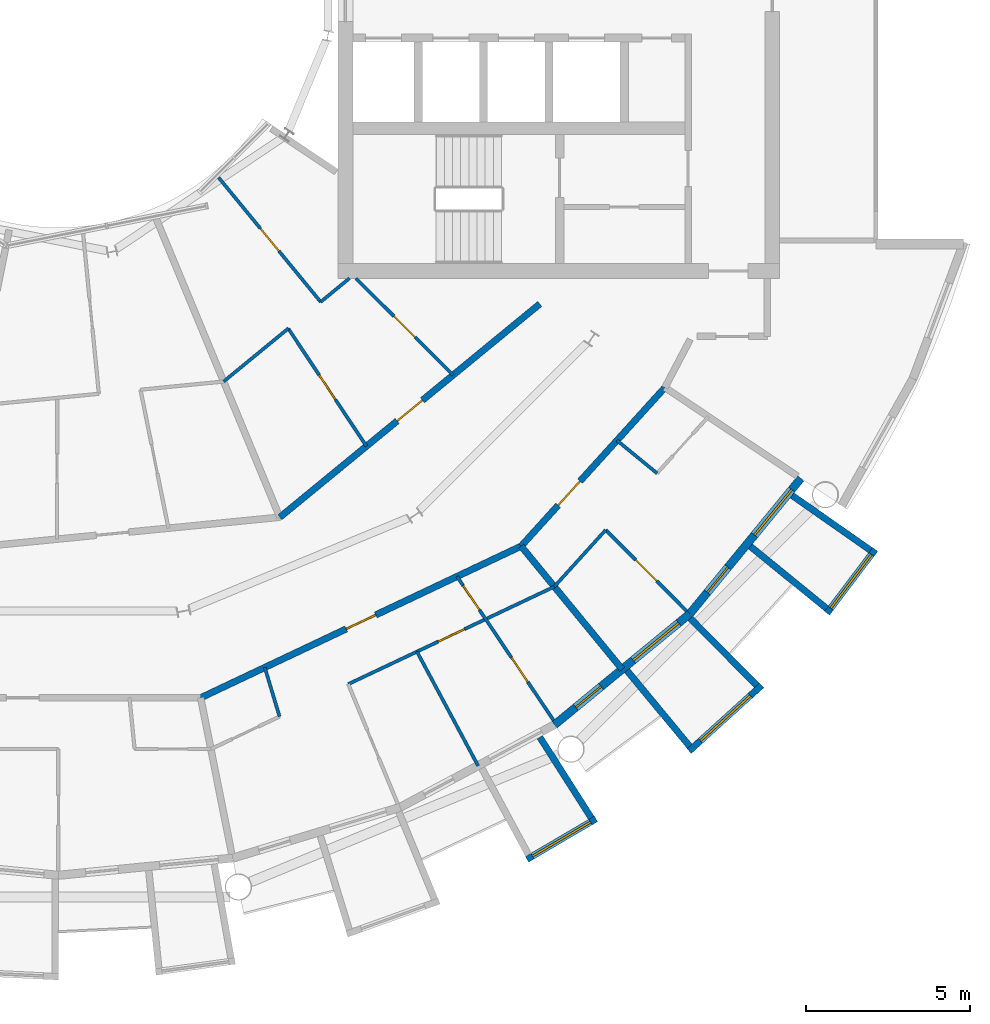
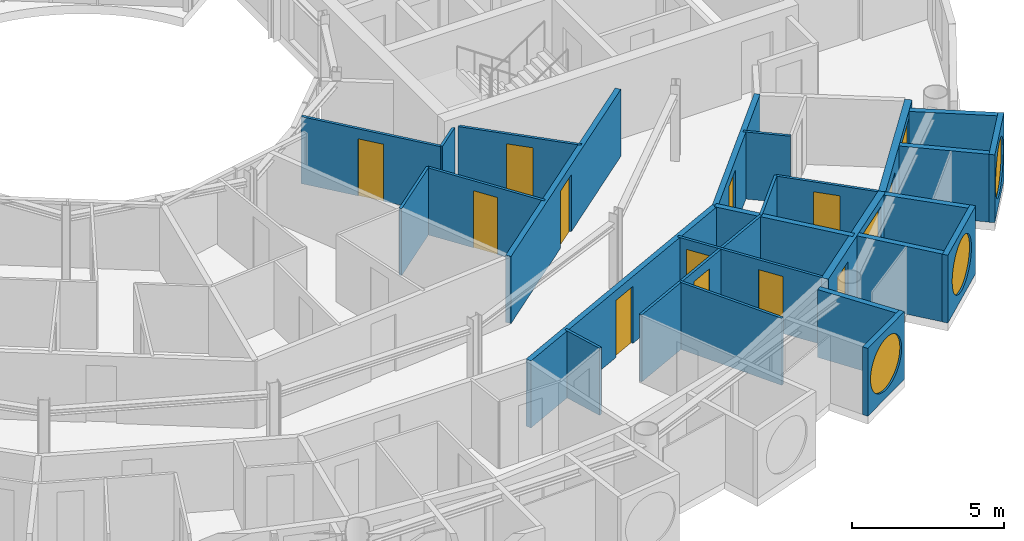
# One storey, part 18 of 29: 26 walls, 12 doors, 5 windows, 17 openings.
"""IFC4 building model written with IfcOpenShell, lengths in metres."""

from ifc_helpers import new_model, si_unit, direction, frame, frame_2d, origin, place, context, subcontext, project, spatial, rectangle, circle, extrude, material, layer, layer_set, type_object, element, fill, save


model = new_model("IFC4")

# Units and contexts
model_context = context("Model", 3, precision=1e-05, world=origin(), true_north=direction((0.0, 1.0)))
body_context = subcontext(model_context, "Body", "Model", "MODEL_VIEW")
ifc_project = project(units=[si_unit("LENGTHUNIT", "METRE"), si_unit("AREAUNIT", "SQUARE_METRE"), si_unit("VOLUMEUNIT", "CUBIC_METRE"), si_unit("PLANEANGLEUNIT", "RADIAN"), si_unit("MASSUNIT", "GRAM", prefix="KILO")], contexts=[model_context])

# Site, building, storey
site_placement = place(None, origin())
site = spatial("IfcSite", under=ifc_project, at=site_placement, CompositionType="ELEMENT")
building_placement = place(site_placement, origin())
building = spatial("IfcBuilding", under=site, at=building_placement, Name="Maasbend Ring Residences", CompositionType="ELEMENT")
storey_placement = place(building_placement, frame((0.0, 0.0, 212.699951171875)))
storey = spatial("IfcBuildingStorey", under=building, at=storey_placement, Name="L61", CompositionType="ELEMENT", Elevation=212.699951171875)

# Wall, opening, door
ifc_material_1 = material(Name="Concrete C30/37", Category="concrete")
ifc_layer_1 = layer(ifc_material_1, 0.199951171875)
ifc_layer_set_1 = layer_set([ifc_layer_1], Name="Concrete C30/37")
wall_type_1 = type_object("IfcWallType", Name="CORRIDOR WALL 200 CONCRETE", PredefinedType="PARTITIONING", material=ifc_layer_set_1)
wall_1_placement = place(storey_placement, frame((14.14697265625, -17.238037109375, 0.0), z_axis=(0.0, 0.0, 1.0), x_axis=(0.671561669125, 0.740948665268, 0.0)))
wall_1 = element("IfcWall", 1, at=wall_1_placement, inside=storey, type_object=wall_type_1, Name="U-L61-w013", PredefinedType="PARTITIONING", context=body_context, shape_type="SweptSolid", body=[
    extrude(rectangle(XDim=6.54443359375, YDim=0.199951171875, at=frame_2d((3.272216796875, 0.0))), origin(), (0.0, 0.0, 1.0), 2.699951171875),
])
opening_1_placement = place(wall_1_placement, frame((1.681884765625, 0.0, 0.0)))
opening_1 = element("IfcOpeningElement", 2, at=opening_1_placement, cuts=wall_1, Name="Opening D-6153", PredefinedType="OPENING", context=body_context, shape_type="SweptSolid", body=[
    extrude(rectangle(XDim=1.0, YDim=2.300048828125, at=frame_2d((0.5, 1.14990234375))), frame((0.0, 0.10986328125, 0.0), z_axis=(0.0, -1.0, 0.0), x_axis=(1.0, 0.0, 0.0)), (0.0, 0.0, 1.0), 0.219970703125),
])
ifc_material_2 = material(Name="Timber, fire-rated, painted", Category="wood")
door_type_1 = type_object("IfcDoorType", Name="FLAT ENTRANCE DOOR 1000 X 2300 FIRE-RATED", OperationType="NOTDEFINED", PredefinedType="DOOR", material=ifc_material_2)
door_1_placement = place(opening_1_placement, origin())
door_1 = element("IfcDoor", 3, at=door_1_placement, inside=storey, type_object=door_type_1, Name="D-6153", OperationType="SINGLE_SWING_LEFT", OverallHeight=2.300048828125, OverallWidth=1.0, PredefinedType="DOOR", context=body_context, shape_type="SweptSolid", body=[
    extrude(rectangle(XDim=1.0, YDim=2.300048828125, at=frame_2d((0.5, 1.14990234375))), frame((0.0, 0.02490234375, 0.0), z_axis=(0.0, -1.0, 0.0), x_axis=(1.0, 0.0, 0.0)), (0.0, 0.0, 1.0), 0.050048828125),
])
fill(opening_1, door_1)

wall_2_placement = place(storey_placement, frame((4.35205078125, -21.873046875, 0.0), z_axis=(0.0, 0.0, 1.0), x_axis=(0.903903349022, 0.427736759733, 0.0)))
wall_2 = element("IfcWall", 4, at=wall_2_placement, inside=storey, type_object=wall_type_1, Name="U-L61-w019", PredefinedType="PARTITIONING", context=body_context, shape_type="SweptSolid", body=[
    extrude(rectangle(XDim=10.83837890625, YDim=0.199951171875, at=frame_2d((5.419189453125, 0.0))), origin(), (0.0, 0.0, 1.0), 2.699951171875),
])
opening_2_placement = place(wall_2_placement, frame((4.919921875, 0.0, 0.0)))
opening_2 = element("IfcOpeningElement", 5, at=opening_2_placement, cuts=wall_2, Name="Opening D-6147", PredefinedType="OPENING", context=body_context, shape_type="SweptSolid", body=[
    extrude(rectangle(XDim=1.0, YDim=2.300048828125, at=frame_2d((0.5, 1.14990234375))), frame((0.0, 0.10986328125, 0.0), z_axis=(0.0, -1.0, 0.0), x_axis=(1.0, 0.0, 0.0)), (0.0, 0.0, 1.0), 0.219970703125),
])
door_2_placement = place(opening_2_placement, origin())
door_2 = element("IfcDoor", 6, at=door_2_placement, inside=storey, type_object=door_type_1, Name="D-6147", OperationType="SINGLE_SWING_RIGHT", OverallHeight=2.300048828125, OverallWidth=1.0, PredefinedType="DOOR", context=body_context, shape_type="SweptSolid", body=[
    extrude(rectangle(XDim=1.0, YDim=2.300048828125, at=frame_2d((0.5, 1.14990234375))), frame((0.0, 0.02490234375, 0.0), z_axis=(0.0, -1.0, 0.0), x_axis=(1.0, 0.0, 0.0)), (0.0, 0.0, 1.0), 0.050048828125),
])
fill(opening_2, door_2)

wall_3_placement = place(storey_placement, frame((6.77294921875, -16.35302734375, 0.0), z_axis=(0.0, 0.0, 1.0), x_axis=(0.773034536097, 0.634363938131, 0.0)))
wall_3 = element("IfcWall", 7, at=wall_3_placement, inside=storey, type_object=wall_type_1, Name="U-L61-w021", PredefinedType="PARTITIONING", context=body_context, shape_type="SweptSolid", body=[
    extrude(rectangle(XDim=10.276611328125, YDim=0.199951171875, at=frame_2d((5.13818359375, 0.0))), origin(), (0.0, 0.0, 1.0), 2.699951171875),
])
opening_3_placement = place(wall_3_placement, frame((4.637939453125, 0.0, 0.0)))
opening_3 = element("IfcOpeningElement", 8, at=opening_3_placement, cuts=wall_3, Name="Opening D-6164", PredefinedType="OPENING", context=body_context, shape_type="SweptSolid", body=[
    extrude(rectangle(XDim=1.0, YDim=2.300048828125, at=frame_2d((0.5, 1.14990234375))), frame((0.0, 0.10986328125, 0.0), z_axis=(0.0, -1.0, 0.0), x_axis=(1.0, 0.0, 0.0)), (0.0, 0.0, 1.0), 0.219970703125),
])
door_3_placement = place(opening_3_placement, origin())
door_3 = element("IfcDoor", 9, at=door_3_placement, inside=storey, type_object=door_type_1, Name="D-6164", OperationType="SINGLE_SWING_RIGHT", OverallHeight=2.300048828125, OverallWidth=1.0, PredefinedType="DOOR", context=body_context, shape_type="SweptSolid", body=[
    extrude(rectangle(XDim=1.0, YDim=2.300048828125, at=frame_2d((0.5, 1.14990234375))), frame((0.0, 0.02490234375, 0.0), z_axis=(0.0, -1.0, 0.0), x_axis=(1.0, 0.0, 0.0)), (0.0, 0.0, 1.0), 0.050048828125),
])
fill(opening_3, door_3)

# Wall, opening, window
ifc_material_3 = material(Name="Pale anodised aluminium panel", Category="aluminium")
ifc_layer_2 = layer(ifc_material_3, 0.199951171875)
ifc_layer_set_2 = layer_set([ifc_layer_2], Name="EW-BOX")
wall_type_2 = type_object("IfcWallType", Name="EW-BOX", PredefinedType="SOLIDWALL", material=ifc_layer_set_2)
wall_4_placement = place(storey_placement, frame((14.326904296875, -26.81201171875, -0.030029296875), z_axis=(0.0, 0.0, 1.0), x_axis=(0.862403467503, 0.506221551535, 0.0)))
wall_4 = element("IfcWall", 10, at=wall_4_placement, inside=storey, type_object=wall_type_2, Name="Box front S16", PredefinedType="SOLIDWALL", context=body_context, shape_type="SweptSolid", body=[
    extrude(rectangle(XDim=2.445556640625, YDim=0.199951171875, at=frame_2d((1.22265625, 0.0))), origin(), (0.0, 0.0, 1.0), 2.72998046875),
])
opening_4_placement = place(wall_4_placement, frame((0.182861328125, 0.0, 0.330078125)))
opening_4 = element("IfcOpeningElement", 11, at=opening_4_placement, cuts=wall_4, Name="Opening W-RD", PredefinedType="OPENING", context=body_context, shape_type="SweptSolid", body=[
    extrude(circle(Radius=1.0400390625, at=frame_2d((1.0400390625, 1.0400390625))), frame((0.0, 0.10986328125, 0.0), z_axis=(0.0, -1.0, 0.0), x_axis=(1.0, 0.0, 0.0)), (0.0, 0.0, 1.0), 0.219970703125),
])
ifc_material_4 = material(Name="Aluminium and clear glass", Category="aluminium")
window_type_1 = type_object("IfcWindowType", Name="W-RD", PartitioningType="SINGLE_PANEL", PredefinedType="WINDOW", material=ifc_material_4)
window_1_placement = place(opening_4_placement, origin())
window_1 = element("IfcWindow", 12, at=window_1_placement, inside=storey, type_object=window_type_1, Name="Round window S16", OverallHeight=2.080078125, OverallWidth=2.080078125, PartitioningType="SINGLE_PANEL", PredefinedType="WINDOW", context=body_context, shape_type="SweptSolid", body=[
    extrude(circle(Radius=1.0400390625, at=frame_2d((1.0400390625, 1.0400390625))), frame((0.0, 0.030029296875, 0.0), z_axis=(0.0, -1.0, 0.0), x_axis=(1.0, 0.0, 0.0)), (0.0, 0.0, 1.0), 0.06005859375),
])
fill(opening_4, window_1)

# Wall
wall_5_placement = place(storey_placement, frame((14.721923828125, -23.0791015625, -0.030029296875), z_axis=(0.0, 0.0, 1.0), x_axis=(0.537572179146, -0.843217737129, 0.0)))
element("IfcWall", 13, at=wall_5_placement, inside=storey, type_object=wall_type_2, Name="Box side wall S16 right", PredefinedType="SOLIDWALL", context=body_context, shape_type="SweptSolid", body=[
    extrude(rectangle(XDim=2.92431640625, YDim=0.199951171875, at=frame_2d((1.462158203125, 0.0))), origin(), (0.0, 0.0, 1.0), 2.72998046875),
])

# Wall, opening, window
wall_6_placement = place(storey_placement, frame((19.281982421875, -23.5029296875, -0.030029296875), z_axis=(0.0, 0.0, 1.0), x_axis=(0.740998365753, 0.671506829416, 0.0)))
wall_6 = element("IfcWall", 14, at=wall_6_placement, inside=storey, type_object=wall_type_2, Name="Box front S18", PredefinedType="SOLIDWALL", context=body_context, shape_type="SweptSolid", body=[
    extrude(rectangle(XDim=2.9931640625, YDim=0.199951171875, at=frame_2d((1.49658203125, 0.0))), origin(), (0.0, 0.0, 1.0), 2.72998046875),
])
opening_5_placement = place(wall_6_placement, frame((0.45654296875, 0.0, 0.330078125)))
opening_5 = element("IfcOpeningElement", 15, at=opening_5_placement, cuts=wall_6, Name="Opening W-RD", PredefinedType="OPENING", context=body_context, shape_type="SweptSolid", body=[
    extrude(circle(Radius=1.0400390625, at=frame_2d((1.0400390625, 1.0400390625))), frame((0.0, 0.10986328125, 0.0), z_axis=(0.0, -1.0, 0.0), x_axis=(1.0, 0.0, 0.0)), (0.0, 0.0, 1.0), 0.219970703125),
])
window_2_placement = place(opening_5_placement, origin())
window_2 = element("IfcWindow", 16, at=window_2_placement, inside=storey, type_object=window_type_1, Name="Round window S18", OverallHeight=2.080078125, OverallWidth=2.080078125, PartitioningType="SINGLE_PANEL", PredefinedType="WINDOW", context=body_context, shape_type="SweptSolid", body=[
    extrude(circle(Radius=1.0400390625, at=frame_2d((1.0400390625, 1.0400390625))), frame((0.0, 0.030029296875, 0.0), z_axis=(0.0, -1.0, 0.0), x_axis=(1.0, 0.0, 0.0)), (0.0, 0.0, 1.0), 0.06005859375),
])
fill(opening_5, window_2)

# Walls
wall_7_placement = place(storey_placement, frame((17.384033203125, -21.041015625, -0.030029296875), z_axis=(0.0, 0.0, 1.0), x_axis=(0.63709551667, -0.770784861449, 0.0)))
element("IfcWall", 17, at=wall_7_placement, inside=storey, type_object=wall_type_2, Name="Box side wall S18 left", PredefinedType="SOLIDWALL", context=body_context, shape_type="SweptSolid", body=[
    extrude(rectangle(XDim=3.005859375, YDim=0.199951171875, at=frame_2d((1.5029296875, 0.0))), origin(), (0.0, 0.0, 1.0), 2.72998046875),
])
wall_8_placement = place(storey_placement, frame((19.322998046875, -19.449951171875, -0.030029296875), z_axis=(0.0, 0.0, 1.0), x_axis=(0.704476739375, -0.709727076896, 0.0)))
element("IfcWall", 18, at=wall_8_placement, inside=storey, type_object=wall_type_2, Name="Box side wall S18 right", PredefinedType="SOLIDWALL", context=body_context, shape_type="SweptSolid", body=[
    extrude(rectangle(XDim=2.883056640625, YDim=0.199951171875, at=frame_2d((1.44140625, 0.0))), origin(), (0.0, 0.0, 1.0), 2.72998046875),
])

# Wall, opening, window
wall_9_placement = place(storey_placement, frame((23.4970703125, -19.2890625, -0.030029296875), z_axis=(0.0, 0.0, 1.0), x_axis=(0.602806268067, 0.797887588059, 0.0)))
wall_9 = element("IfcWall", 19, at=wall_9_placement, inside=storey, type_object=wall_type_2, Name="Box front S20", PredefinedType="SOLIDWALL", context=body_context, shape_type="SweptSolid", body=[
    extrude(rectangle(XDim=2.446533203125, YDim=0.199951171875, at=frame_2d((1.22314453125, 0.0))), origin(), (0.0, 0.0, 1.0), 2.72998046875),
])
opening_6_placement = place(wall_9_placement, frame((0.182861328125, 0.0, 0.330078125)))
opening_6 = element("IfcOpeningElement", 20, at=opening_6_placement, cuts=wall_9, Name="Opening W-RD", PredefinedType="OPENING", context=body_context, shape_type="SweptSolid", body=[
    extrude(circle(Radius=1.0400390625, at=frame_2d((1.0400390625, 1.0400390625))), frame((0.0, 0.10986328125, 0.0), z_axis=(0.0, -1.0, 0.0), x_axis=(1.0, 0.0, 0.0)), (0.0, 0.0, 1.0), 0.219970703125),
])
window_3_placement = place(opening_6_placement, origin())
window_3 = element("IfcWindow", 21, at=window_3_placement, inside=storey, type_object=window_type_1, Name="Round window S20", OverallHeight=2.080078125, OverallWidth=2.080078125, PartitioningType="SINGLE_PANEL", PredefinedType="WINDOW", context=body_context, shape_type="SweptSolid", body=[
    extrude(circle(Radius=1.0400390625, at=frame_2d((1.0400390625, 1.0400390625))), frame((0.0, 0.030029296875, 0.0), z_axis=(0.0, -1.0, 0.0), x_axis=(1.0, 0.0, 0.0)), (0.0, 0.0, 1.0), 0.06005859375),
])
fill(opening_6, window_3)

# Walls
wall_10_placement = place(storey_placement, frame((21.155029296875, -17.24609375, -0.030029296875), z_axis=(0.0, 0.0, 1.0), x_axis=(0.775179004516, -0.631741648902, 0.0)))
element("IfcWall", 22, at=wall_10_placement, inside=storey, type_object=wall_type_2, Name="Box side wall S20 left", PredefinedType="SOLIDWALL", context=body_context, shape_type="SweptSolid", body=[
    extrude(rectangle(XDim=3.005859375, YDim=0.199951171875, at=frame_2d((1.5029296875, 0.0))), origin(), (0.0, 0.0, 1.0), 2.72998046875),
])
wall_11_placement = place(storey_placement, frame((22.43310546875, -15.68798828125, -0.030029296875), z_axis=(0.0, 0.0, 1.0), x_axis=(0.819373043115, -0.573260687834, 0.0)))
element("IfcWall", 23, at=wall_11_placement, inside=storey, type_object=wall_type_2, Name="Box side wall S20 right", PredefinedType="SOLIDWALL", context=body_context, shape_type="SweptSolid", body=[
    extrude(rectangle(XDim=2.92529296875, YDim=0.199951171875, at=frame_2d((1.462646484375, 0.0))), origin(), (0.0, 0.0, 1.0), 2.72998046875),
])

# Wall, openings, door, window
ifc_material_5 = material(Name="Aluminium clad insulated panel", Category="aluminium")
ifc_layer_3 = layer(ifc_material_5, 0.25)
ifc_layer_set_3 = layer_set([ifc_layer_3], Name="EW-GL")
wall_type_3 = type_object("IfcWallType", Name="EW-GL", PredefinedType="SOLIDWALL", material=ifc_layer_set_3)
wall_12_placement = place(storey_placement, frame((15.1669921875, -22.698974609375, 0.0), z_axis=(0.0, 0.0, 1.0), x_axis=(0.773019449054, 0.634382322723, 0.0)))
wall_12 = element("IfcWall", 24, at=wall_12_placement, inside=storey, type_object=wall_type_3, Name="External wall S09", PredefinedType="SOLIDWALL", context=body_context, shape_type="SweptSolid", body=[
    extrude(rectangle(XDim=5.351806640625, YDim=0.25, at=frame_2d((2.67578125, 0.0))), origin(), (0.0, 0.0, 1.0), 2.699951171875),
])
opening_7_placement = place(wall_12_placement, frame((0.841064453125, 0.0, 0.0)))
opening_7 = element("IfcOpeningElement", 25, at=opening_7_placement, cuts=wall_12, Name="Opening D-LG", PredefinedType="OPENING", context=body_context, shape_type="SweptSolid", body=[
    extrude(rectangle(XDim=1.0, YDim=2.199951171875, at=frame_2d((0.5, 1.10009765625))), frame((0.0, 0.135009765625, 0.0), z_axis=(0.0, -1.0, 0.0), x_axis=(1.0, 0.0, 0.0)), (0.0, 0.0, 1.0), 0.27001953125),
])
opening_8_placement = place(wall_12_placement, frame((3.110595703125, 0.0, 0.300048828125)))
opening_8 = element("IfcOpeningElement", 26, at=opening_8_placement, cuts=wall_12, Name="Opening W-BX", PredefinedType="OPENING", context=body_context, shape_type="SweptSolid", body=[
    extrude(rectangle(XDim=1.800048828125, YDim=2.10009765625, at=frame_2d((0.89990234375, 1.050048828125))), frame((0.0, 0.135009765625, 0.0), z_axis=(0.0, -1.0, 0.0), x_axis=(1.0, 0.0, 0.0)), (0.0, 0.0, 1.0), 0.27001953125),
])
ifc_material_6 = material(Name="Aluminium and clear glass", Category="aluminium")
door_type_2 = type_object("IfcDoorType", Name="D-LG", OperationType="SINGLE_SWING_LEFT", PredefinedType="DOOR", material=ifc_material_6)
door_4_placement = place(opening_7_placement, origin())
door_4 = element("IfcDoor", 27, at=door_4_placement, inside=storey, type_object=door_type_2, Name="Loggia door S17", OperationType="SINGLE_SWING_LEFT", OverallHeight=2.199951171875, OverallWidth=1.0, PredefinedType="DOOR", context=body_context, shape_type="SweptSolid", body=[
    extrude(rectangle(XDim=1.0, YDim=2.199951171875, at=frame_2d((0.5, 1.10009765625))), frame((0.0, 0.02490234375, 0.0), z_axis=(0.0, -1.0, 0.0), x_axis=(1.0, 0.0, 0.0)), (0.0, 0.0, 1.0), 0.050048828125),
])
fill(opening_7, door_4)
ifc_material_7 = material(Name="Aluminium and clear glass", Category="aluminium")
window_type_2 = type_object("IfcWindowType", Name="W-BX", PartitioningType="DOUBLE_PANEL_VERTICAL", PredefinedType="WINDOW", material=ifc_material_7)
window_4_placement = place(opening_8_placement, origin())
window_4 = element("IfcWindow", 28, at=window_4_placement, inside=storey, type_object=window_type_2, Name="Window S18 room to box", OverallHeight=2.10009765625, OverallWidth=1.800048828125, PartitioningType="SINGLE_PANEL", PredefinedType="WINDOW", context=body_context, shape_type="SweptSolid", body=[
    extrude(rectangle(XDim=1.800048828125, YDim=2.10009765625, at=frame_2d((0.89990234375, 1.050048828125))), frame((0.0, 0.030029296875, 0.0), z_axis=(0.0, -1.0, 0.0), x_axis=(1.0, 0.0, 0.0)), (0.0, 0.0, 1.0), 0.06005859375),
])
fill(opening_8, window_4)

wall_13_placement = place(storey_placement, frame((19.303955078125, -19.303955078125, 0.0), z_axis=(0.0, 0.0, 1.0), x_axis=(0.634382322723, 0.773019449054, 0.0)))
wall_13 = element("IfcWall", 29, at=wall_13_placement, inside=storey, type_object=wall_type_3, Name="External wall S10", PredefinedType="SOLIDWALL", context=body_context, shape_type="SweptSolid", body=[
    extrude(rectangle(XDim=5.351806640625, YDim=0.25, at=frame_2d((2.67578125, 0.0))), origin(), (0.0, 0.0, 1.0), 2.699951171875),
])
opening_9_placement = place(wall_13_placement, frame((0.841064453125, 0.0, 0.0)))
opening_9 = element("IfcOpeningElement", 30, at=opening_9_placement, cuts=wall_13, Name="Opening D-LG", PredefinedType="OPENING", context=body_context, shape_type="SweptSolid", body=[
    extrude(rectangle(XDim=1.0, YDim=2.199951171875, at=frame_2d((0.5, 1.10009765625))), frame((0.0, 0.135009765625, 0.0), z_axis=(0.0, -1.0, 0.0), x_axis=(1.0, 0.0, 0.0)), (0.0, 0.0, 1.0), 0.27001953125),
])
opening_10_placement = place(wall_13_placement, frame((3.110595703125, 0.0, 0.300048828125)))
opening_10 = element("IfcOpeningElement", 31, at=opening_10_placement, cuts=wall_13, Name="Opening W-BX", PredefinedType="OPENING", context=body_context, shape_type="SweptSolid", body=[
    extrude(rectangle(XDim=1.800048828125, YDim=2.10009765625, at=frame_2d((0.89990234375, 1.050048828125))), frame((0.0, 0.135009765625, 0.0), z_axis=(0.0, -1.0, 0.0), x_axis=(1.0, 0.0, 0.0)), (0.0, 0.0, 1.0), 0.27001953125),
])
door_5_placement = place(opening_9_placement, origin())
door_5 = element("IfcDoor", 32, at=door_5_placement, inside=storey, type_object=door_type_2, Name="Loggia door S19", OperationType="SINGLE_SWING_LEFT", OverallHeight=2.199951171875, OverallWidth=1.0, PredefinedType="DOOR", context=body_context, shape_type="SweptSolid", body=[
    extrude(rectangle(XDim=1.0, YDim=2.199951171875, at=frame_2d((0.5, 1.10009765625))), frame((0.0, 0.02490234375, 0.0), z_axis=(0.0, -1.0, 0.0), x_axis=(1.0, 0.0, 0.0)), (0.0, 0.0, 1.0), 0.050048828125),
])
fill(opening_9, door_5)
window_5_placement = place(opening_10_placement, origin())
window_5 = element("IfcWindow", 33, at=window_5_placement, inside=storey, type_object=window_type_2, Name="Window S20 room to box", OverallHeight=2.10009765625, OverallWidth=1.800048828125, PartitioningType="SINGLE_PANEL", PredefinedType="WINDOW", context=body_context, shape_type="SweptSolid", body=[
    extrude(rectangle(XDim=1.800048828125, YDim=2.10009765625, at=frame_2d((0.89990234375, 1.050048828125))), frame((0.0, 0.030029296875, 0.0), z_axis=(0.0, -1.0, 0.0), x_axis=(1.0, 0.0, 0.0)), (0.0, 0.0, 1.0), 0.06005859375),
])
fill(opening_10, window_5)

# Wall
ifc_material_8 = material(Name="Gypsum board on steel studs", Category="steel")
ifc_layer_4 = layer(ifc_material_8, 0.10009765625)
ifc_layer_set_4 = layer_set([ifc_layer_4], Name="PARTITION 100 GYPSUM")
wall_type_4 = type_object("IfcWallType", Name="PARTITION 100 GYPSUM", PredefinedType="PARTITIONING", material=ifc_layer_set_4)
wall_14_placement = place(storey_placement, frame((15.162109375, -18.47509765625, 0.0), z_axis=(0.0, 0.0, 1.0), x_axis=(0.671528384412, 0.740978831634, 0.0)))
element("IfcWall", 34, at=wall_14_placement, inside=storey, type_object=wall_type_4, Name="U-L61-w001", PredefinedType="PARTITIONING", context=body_context, shape_type="SweptSolid", body=[
    extrude(rectangle(XDim=2.337646484375, YDim=0.10009765625, at=frame_2d((1.1689453125, 0.0))), origin(), (0.0, 0.0, 1.0), 2.699951171875),
])

# Wall, opening, door
wall_15_placement = place(storey_placement, frame((8.863037109375, -21.455078125, 0.0), z_axis=(0.0, 0.0, 1.0), x_axis=(0.904027961542, 0.427473326361, 0.0)))
wall_15 = element("IfcWall", 35, at=wall_15_placement, inside=storey, type_object=wall_type_4, Name="U-L61-w010", PredefinedType="PARTITIONING", context=body_context, shape_type="SweptSolid", body=[
    extrude(rectangle(XDim=6.96875, YDim=0.10009765625, at=frame_2d((3.484375, 0.0))), origin(), (0.0, 0.0, 1.0), 2.699951171875),
])
opening_11_placement = place(wall_15_placement, frame((3.033935546875, 0.0, 0.0)))
opening_11 = element("IfcOpeningElement", 36, at=opening_11_placement, cuts=wall_15, Name="Opening D-6151", PredefinedType="OPENING", context=body_context, shape_type="SweptSolid", body=[
    extrude(rectangle(XDim=0.89990234375, YDim=2.300048828125, at=frame_2d((0.449951171875, 1.14990234375))), frame((0.0, 0.06005859375, 0.0), z_axis=(0.0, -1.0, 0.0), x_axis=(1.0, 0.0, 0.0)), (0.0, 0.0, 1.0), 0.1201171875),
])
ifc_material_9 = material(Name="Timber, painted", Category="wood")
door_type_3 = type_object("IfcDoorType", Name="INTERNAL DOOR 900 X 2300", OperationType="NOTDEFINED", PredefinedType="DOOR", material=ifc_material_9)
door_6_placement = place(opening_11_placement, origin())
door_6 = element("IfcDoor", 37, at=door_6_placement, inside=storey, type_object=door_type_3, Name="D-6151", OperationType="SINGLE_SWING_LEFT", OverallHeight=2.300048828125, OverallWidth=0.89990234375, PredefinedType="DOOR", context=body_context, shape_type="SweptSolid", body=[
    extrude(rectangle(XDim=0.89990234375, YDim=2.300048828125, at=frame_2d((0.449951171875, 1.14990234375))), frame((0.0, 0.02490234375, 0.0), z_axis=(0.0, -1.0, 0.0), x_axis=(1.0, 0.0, 0.0)), (0.0, 0.0, 1.0), 0.050048828125),
])
fill(opening_11, door_6)

# Walls
wall_16_placement = place(storey_placement, frame((5.054931640625, -12.2041015625, 0.0), z_axis=(0.0, 0.0, 1.0), x_axis=(0.772943675046, 0.634474645046, 0.0)))
element("IfcWall", 38, at=wall_16_placement, inside=storey, type_object=wall_type_4, Name="U-L61-w025", PredefinedType="PARTITIONING", context=body_context, shape_type="SweptSolid", body=[
    extrude(rectangle(XDim=2.556640625, YDim=0.10009765625, at=frame_2d((1.2783203125, 0.0))), origin(), (0.0, 0.0, 1.0), 2.699951171875),
])
wall_17_placement = place(storey_placement, frame((8.01708984375, -9.77294921875, 0.0), z_axis=(0.0, 0.0, 1.0), x_axis=(0.772786083133, 0.634666581534, 0.0)))
element("IfcWall", 39, at=wall_17_placement, inside=storey, type_object=wall_type_4, Name="U-L61-w026", PredefinedType="PARTITIONING", context=body_context, shape_type="SweptSolid", body=[
    extrude(rectangle(XDim=1.1435546875, YDim=0.10009765625, at=frame_2d((0.57177734375, 0.0))), origin(), (0.0, 0.0, 1.0), 2.699951171875),
])
wall_18_placement = place(storey_placement, frame((17.076904296875, -14.006103515625, 0.0), z_axis=(0.0, 0.0, 1.0), x_axis=(0.773476341377, -0.633825172528, 0.0)))
element("IfcWall", 40, at=wall_18_placement, inside=storey, type_object=wall_type_4, Name="U-L61-w037", PredefinedType="PARTITIONING", context=body_context, shape_type="SweptSolid", body=[
    extrude(rectangle(XDim=1.583984375, YDim=0.10009765625, at=frame_2d((0.7919921875, 0.0))), origin(), (0.0, 0.0, 1.0), 2.699951171875),
])

# Wall, opening, door
wall_19_placement = place(storey_placement, frame((4.89794921875, -5.968017578125, 0.0), z_axis=(0.0, 0.0, 1.0), x_axis=(0.634401778971, -0.773003481776, 0.0)))
wall_19 = element("IfcWall", 41, at=wall_19_placement, inside=storey, type_object=wall_type_4, Name="U-L61-w077", PredefinedType="PARTITIONING", context=body_context, shape_type="SweptSolid", body=[
    extrude(rectangle(XDim=4.919677734375, YDim=0.10009765625, at=frame_2d((2.4599609375, 0.0))), origin(), (0.0, 0.0, 1.0), 2.699951171875),
])
opening_12_placement = place(wall_19_placement, frame((2.010009765625, 0.0, 0.0)))
opening_12 = element("IfcOpeningElement", 42, at=opening_12_placement, cuts=wall_19, Name="Opening D-6167", PredefinedType="OPENING", context=body_context, shape_type="SweptSolid", body=[
    extrude(rectangle(XDim=0.89990234375, YDim=2.300048828125, at=frame_2d((0.449951171875, 1.14990234375))), frame((0.0, 0.06005859375, 0.0), z_axis=(0.0, -1.0, 0.0), x_axis=(1.0, 0.0, 0.0)), (0.0, 0.0, 1.0), 0.1201171875),
])
door_7_placement = place(opening_12_placement, origin())
door_7 = element("IfcDoor", 43, at=door_7_placement, inside=storey, type_object=door_type_3, Name="D-6167", OperationType="SINGLE_SWING_RIGHT", OverallHeight=2.300048828125, OverallWidth=0.89990234375, PredefinedType="DOOR", context=body_context, shape_type="SweptSolid", body=[
    extrude(rectangle(XDim=0.89990234375, YDim=2.300048828125, at=frame_2d((0.449951171875, 1.14990234375))), frame((0.0, 0.02490234375, 0.0), z_axis=(0.0, -1.0, 0.0), x_axis=(1.0, 0.0, 0.0)), (0.0, 0.0, 1.0), 0.050048828125),
])
fill(opening_12, door_7)

# Wall
wall_20_placement = place(storey_placement, frame((6.31005859375, -20.945068359375, 0.0), z_axis=(0.0, 0.0, 1.0), x_axis=(0.288517752304, -0.957474546192, 0.0)))
element("IfcWall", 44, at=wall_20_placement, inside=storey, type_object=wall_type_4, Name="U-L61-w078", PredefinedType="PARTITIONING", context=body_context, shape_type="SweptSolid", body=[
    extrude(rectangle(XDim=1.569580078125, YDim=0.10009765625, at=frame_2d((0.78466796875, 0.0))), origin(), (0.0, 0.0, 1.0), 2.699951171875),
])

# Wall, opening, door
wall_21_placement = place(storey_placement, frame((7.028076171875, -10.583984375, 0.0), z_axis=(0.0, 0.0, 1.0), x_axis=(0.553303732327, -0.832979579457, 0.0)))
wall_21 = element("IfcWall", 45, at=wall_21_placement, inside=storey, type_object=wall_type_4, Name="U-L61-w080", PredefinedType="PARTITIONING", context=body_context, shape_type="SweptSolid", body=[
    extrude(rectangle(XDim=4.3193359375, YDim=0.10009765625, at=frame_2d((2.15966796875, 0.0))), origin(), (0.0, 0.0, 1.0), 2.699951171875),
])
opening_13_placement = place(wall_21_placement, frame((1.7099609375, 0.0, 0.0)))
opening_13 = element("IfcOpeningElement", 46, at=opening_13_placement, cuts=wall_21, Name="Opening D-6165", PredefinedType="OPENING", context=body_context, shape_type="SweptSolid", body=[
    extrude(rectangle(XDim=0.89990234375, YDim=2.300048828125, at=frame_2d((0.449951171875, 1.14990234375))), frame((0.0, 0.06005859375, 0.0), z_axis=(0.0, -1.0, 0.0), x_axis=(1.0, 0.0, 0.0)), (0.0, 0.0, 1.0), 0.1201171875),
])
door_8_placement = place(opening_13_placement, origin())
door_8 = element("IfcDoor", 47, at=door_8_placement, inside=storey, type_object=door_type_3, Name="D-6165", OperationType="SINGLE_SWING_LEFT", OverallHeight=2.300048828125, OverallWidth=0.89990234375, PredefinedType="DOOR", context=body_context, shape_type="SweptSolid", body=[
    extrude(rectangle(XDim=0.89990234375, YDim=2.300048828125, at=frame_2d((0.449951171875, 1.14990234375))), frame((0.0, 0.02490234375, 0.0), z_axis=(0.0, -1.0, 0.0), x_axis=(1.0, 0.0, 0.0)), (0.0, 0.0, 1.0), 0.050048828125),
])
fill(opening_13, door_8)

wall_22_placement = place(storey_placement, frame((9.095947265625, -9.051025390625, 0.0), z_axis=(0.0, 0.0, 1.0), x_axis=(0.708909651863, -0.705299302067, 0.0)))
wall_22 = element("IfcWall", 48, at=wall_22_placement, inside=storey, type_object=wall_type_4, Name="U-L61-w084", PredefinedType="PARTITIONING", context=body_context, shape_type="SweptSolid", body=[
    extrude(rectangle(XDim=4.192626953125, YDim=0.10009765625, at=frame_2d((2.09619140625, 0.0))), origin(), (0.0, 0.0, 1.0), 2.699951171875),
])
opening_14_placement = place(wall_22_placement, frame((1.64599609375, 0.0, 0.0)))
opening_14 = element("IfcOpeningElement", 49, at=opening_14_placement, cuts=wall_22, Name="Opening D-6166", PredefinedType="OPENING", context=body_context, shape_type="SweptSolid", body=[
    extrude(rectangle(XDim=0.89990234375, YDim=2.300048828125, at=frame_2d((0.449951171875, 1.14990234375))), frame((0.0, 0.06005859375, 0.0), z_axis=(0.0, -1.0, 0.0), x_axis=(1.0, 0.0, 0.0)), (0.0, 0.0, 1.0), 0.1201171875),
])
door_9_placement = place(opening_14_placement, origin())
door_9 = element("IfcDoor", 50, at=door_9_placement, inside=storey, type_object=door_type_3, Name="D-6166", OperationType="SINGLE_SWING_RIGHT", OverallHeight=2.300048828125, OverallWidth=0.89990234375, PredefinedType="DOOR", context=body_context, shape_type="SweptSolid", body=[
    extrude(rectangle(XDim=0.89990234375, YDim=2.300048828125, at=frame_2d((0.449951171875, 1.14990234375))), frame((0.0, 0.02490234375, 0.0), z_axis=(0.0, -1.0, 0.0), x_axis=(1.0, 0.0, 0.0)), (0.0, 0.0, 1.0), 0.050048828125),
])
fill(opening_14, door_9)

# Wall
wall_23_placement = place(storey_placement, frame((10.9619140625, -20.4609375, 0.0), z_axis=(0.0, 0.0, 1.0), x_axis=(0.472173540979, -0.881505613822, 0.0)))
element("IfcWall", 51, at=wall_23_placement, inside=storey, type_object=wall_type_4, Name="U-L61-w086", PredefinedType="PARTITIONING", context=body_context, shape_type="SweptSolid", body=[
    extrude(rectangle(XDim=3.962646484375, YDim=0.10009765625, at=frame_2d((1.9814453125, 0.0))), origin(), (0.0, 0.0, 1.0), 2.699951171875),
])

# Wall, openings, doors
wall_24_placement = place(storey_placement, frame((12.18798828125, -18.1650390625, 0.0), z_axis=(0.0, 0.0, 1.0), x_axis=(0.557206464517, -0.830373985564, 0.0)))
wall_24 = element("IfcWall", 52, at=wall_24_placement, inside=storey, type_object=wall_type_4, Name="U-L61-w088", PredefinedType="PARTITIONING", context=body_context, shape_type="SweptSolid", body=[
    extrude(rectangle(XDim=5.2998046875, YDim=0.10009765625, at=frame_2d((2.64990234375, 0.0))), origin(), (0.0, 0.0, 1.0), 2.699951171875),
])
opening_15_placement = place(wall_24_placement, frame((0.333984375, 0.0, 0.0)))
opening_15 = element("IfcOpeningElement", 53, at=opening_15_placement, cuts=wall_24, Name="Opening D-6149", PredefinedType="OPENING", context=body_context, shape_type="SweptSolid", body=[
    extrude(rectangle(XDim=0.89990234375, YDim=2.300048828125, at=frame_2d((0.449951171875, 1.14990234375))), frame((0.0, 0.06005859375, 0.0), z_axis=(0.0, -1.0, 0.0), x_axis=(1.0, 0.0, 0.0)), (0.0, 0.0, 1.0), 0.1201171875),
])
opening_16_placement = place(wall_24_placement, frame((2.98388671875, 0.0, 0.0)))
opening_16 = element("IfcOpeningElement", 54, at=opening_16_placement, cuts=wall_24, Name="Opening D-6152", PredefinedType="OPENING", context=body_context, shape_type="SweptSolid", body=[
    extrude(rectangle(XDim=0.89990234375, YDim=2.300048828125, at=frame_2d((0.449951171875, 1.14990234375))), frame((0.0, 0.06005859375, 0.0), z_axis=(0.0, -1.0, 0.0), x_axis=(1.0, 0.0, 0.0)), (0.0, 0.0, 1.0), 0.1201171875),
])
door_10_placement = place(opening_15_placement, origin())
door_10 = element("IfcDoor", 55, at=door_10_placement, inside=storey, type_object=door_type_3, Name="D-6149", OperationType="SINGLE_SWING_LEFT", OverallHeight=2.300048828125, OverallWidth=0.89990234375, PredefinedType="DOOR", context=body_context, shape_type="SweptSolid", body=[
    extrude(rectangle(XDim=0.89990234375, YDim=2.300048828125, at=frame_2d((0.449951171875, 1.14990234375))), frame((0.0, 0.02490234375, 0.0), z_axis=(0.0, -1.0, 0.0), x_axis=(1.0, 0.0, 0.0)), (0.0, 0.0, 1.0), 0.050048828125),
])
fill(opening_15, door_10)
door_11_placement = place(opening_16_placement, origin())
door_11 = element("IfcDoor", 56, at=door_11_placement, inside=storey, type_object=door_type_3, Name="D-6152", OperationType="SINGLE_SWING_RIGHT", OverallHeight=2.300048828125, OverallWidth=0.89990234375, PredefinedType="DOOR", context=body_context, shape_type="SweptSolid", body=[
    extrude(rectangle(XDim=0.89990234375, YDim=2.300048828125, at=frame_2d((0.449951171875, 1.14990234375))), frame((0.0, 0.02490234375, 0.0), z_axis=(0.0, -1.0, 0.0), x_axis=(1.0, 0.0, 0.0)), (0.0, 0.0, 1.0), 0.050048828125),
])
fill(opening_16, door_11)

# Wall, opening, door
wall_25_placement = place(storey_placement, frame((16.73193359375, -16.742919921875, 0.0), z_axis=(0.0, 0.0, 1.0), x_axis=(0.706967463531, -0.707246071398, 0.0)))
wall_25 = element("IfcWall", 57, at=wall_25_placement, inside=storey, type_object=wall_type_4, Name="U-L61-w093", PredefinedType="PARTITIONING", context=body_context, shape_type="SweptSolid", body=[
    extrude(rectangle(XDim=3.505126953125, YDim=0.10009765625, at=frame_2d((1.75244140625, 0.0))), origin(), (0.0, 0.0, 1.0), 2.699951171875),
])
opening_17_placement = place(wall_25_placement, frame((1.302978515625, 0.0, 0.0)))
opening_17 = element("IfcOpeningElement", 58, at=opening_17_placement, cuts=wall_25, Name="Opening D-6155", PredefinedType="OPENING", context=body_context, shape_type="SweptSolid", body=[
    extrude(rectangle(XDim=0.89990234375, YDim=2.300048828125, at=frame_2d((0.449951171875, 1.14990234375))), frame((0.0, 0.06005859375, 0.0), z_axis=(0.0, -1.0, 0.0), x_axis=(1.0, 0.0, 0.0)), (0.0, 0.0, 1.0), 0.1201171875),
])
door_12_placement = place(opening_17_placement, origin())
door_12 = element("IfcDoor", 59, at=door_12_placement, inside=storey, type_object=door_type_3, Name="D-6155", OperationType="SINGLE_SWING_LEFT", OverallHeight=2.300048828125, OverallWidth=0.89990234375, PredefinedType="DOOR", context=body_context, shape_type="SweptSolid", body=[
    extrude(rectangle(XDim=0.89990234375, YDim=2.300048828125, at=frame_2d((0.449951171875, 1.14990234375))), frame((0.0, 0.02490234375, 0.0), z_axis=(0.0, -1.0, 0.0), x_axis=(1.0, 0.0, 0.0)), (0.0, 0.0, 1.0), 0.050048828125),
])
fill(opening_17, door_12)

# Wall
ifc_material_10 = material(Name="Concrete C30/37", Category="concrete")
ifc_layer_5 = layer(ifc_material_10, 0.199951171875)
ifc_layer_set_5 = layer_set([ifc_layer_5], Name="Concrete C30/37")
wall_type_5 = type_object("IfcWallType", Name="PARTY WALL 200 CONCRETE", PredefinedType="PARTITIONING", material=ifc_layer_set_5)
wall_26_placement = place(storey_placement, frame((14.14697265625, -17.238037109375, 0.0), z_axis=(0.0, 0.0, 1.0), x_axis=(0.634374159378, -0.773026148273, 0.0)))
element("IfcWall", 60, at=wall_26_placement, inside=storey, type_object=wall_type_5, Name="U-L61-w090", PredefinedType="PARTITIONING", context=body_context, shape_type="SweptSolid", body=[
    extrude(rectangle(XDim=4.875732421875, YDim=0.199951171875, at=frame_2d((2.43798828125, 0.0))), origin(), (0.0, 0.0, 1.0), 2.699951171875),
])

save(model, "model.ifc")
